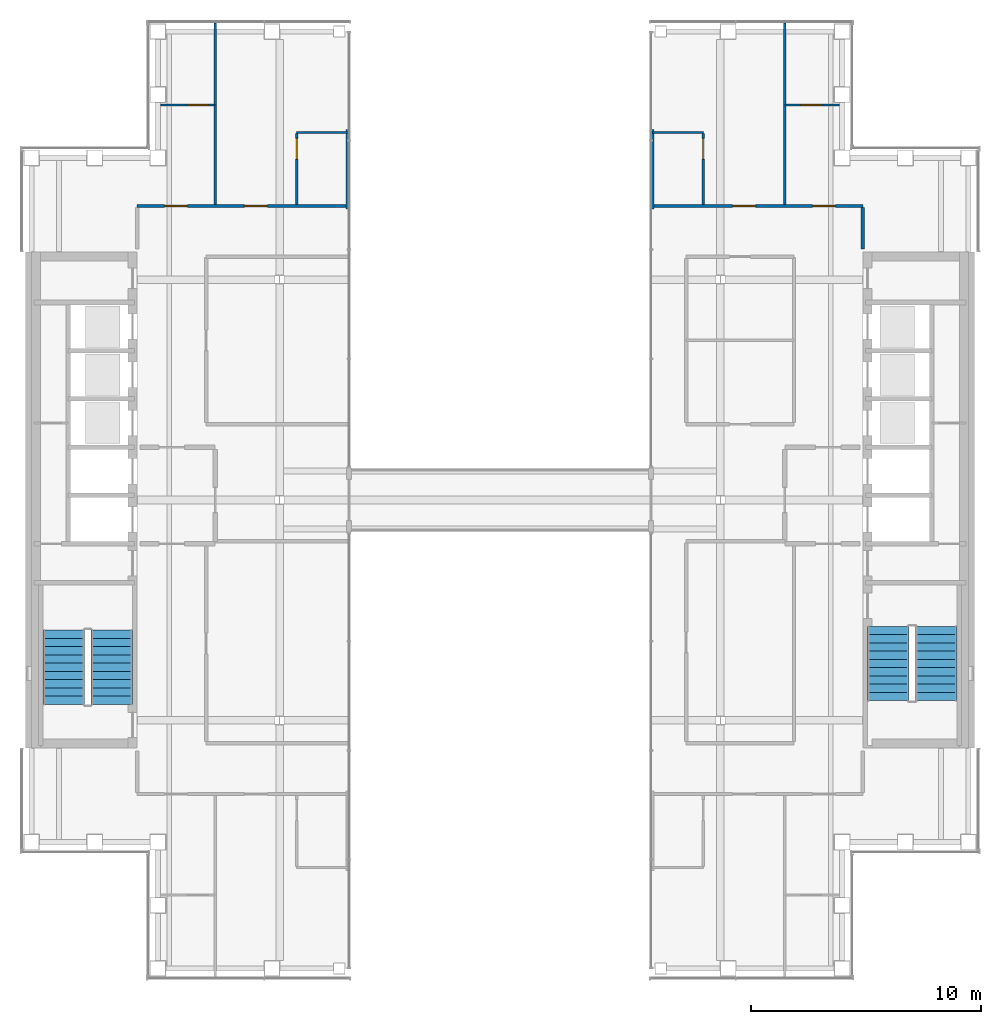
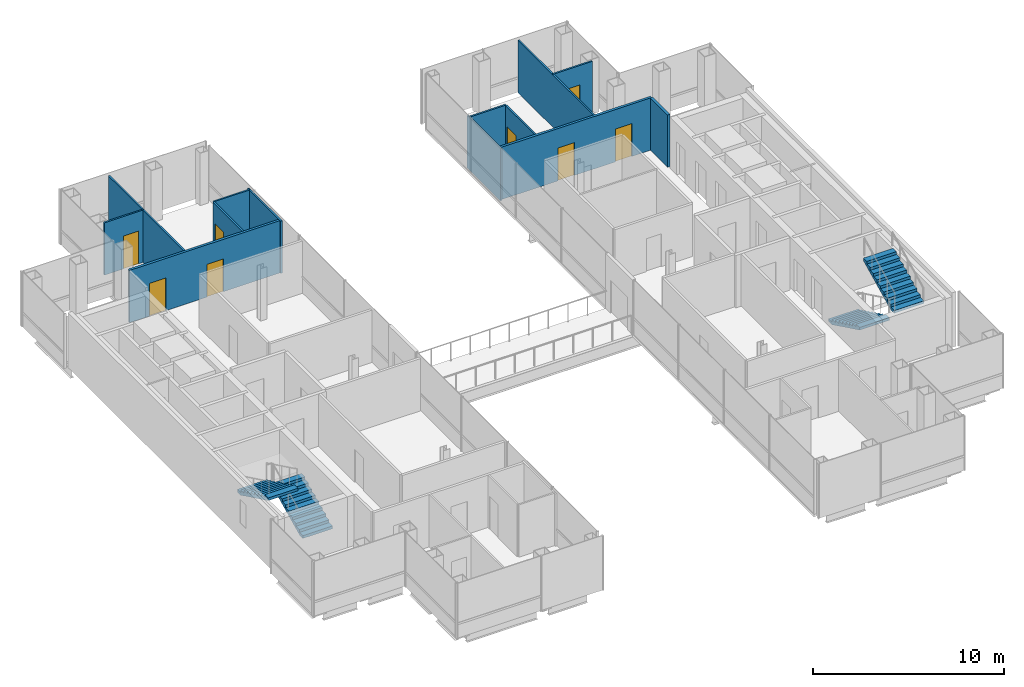
# One storey, part 13 of 15: 13 walls, 8 doors, 4 stair flights, 8 openings, 2 elements without a shape of their own.
"""IFC4 building model written with IfcOpenShell, lengths in metres."""

import ifcopenshell
import ifcopenshell.guid

model = None  # the IFC model being written
_history = None  # IfcOwnerHistory: only IFC2X3 demands one
_inside = {}  # id of a spatial element -> (the spatial element, [elements in it])
_under = {}  # id of a project, library or spatial element -> (it, [spatial elements below it])
_declared = {}  # id of a project -> (the project, [libraries it declares])
_typed = {}  # id of a type object -> (the type object, [elements of that type])
_made_of = {}  # id of a material, layer set ... -> (it, [elements and type objects made of it])


def new_model(schema):
    """Start an empty IFC model of exactly this schema.

    Asked for "IFC4X3", IfcOpenShell would pick the latest addendum, in which some entities
    have other attributes; the version numbers below select the first issue.
    IFC2X3 requires an IfcOwnerHistory on every rooted entity: one is made here for all.
    """
    global model, _history
    if schema == "IFC4X3":
        model = ifcopenshell.file(schema_version=(4, 3, 0, 0))
    else:
        model = ifcopenshell.file(schema=schema)
    _inside.clear()
    _under.clear()
    _declared.clear()
    _typed.clear()
    _made_of.clear()
    _history = None
    if model.schema == "IFC2X3":
        org = make("IfcOrganization", Name="unknown")
        user = make(
            "IfcPersonAndOrganization",
            ThePerson=make("IfcPerson", FamilyName="unknown"),
            TheOrganization=org,
        )
        app = make(
            "IfcApplication",
            ApplicationDeveloper=org,
            Version="unknown",
            ApplicationFullName="unknown",
            ApplicationIdentifier="unknown",
        )
        _history = make(
            "IfcOwnerHistory",
            OwningUser=user,
            OwningApplication=app,
            ChangeAction="ADDED",
            CreationDate=0,
        )
    return model


def make(cls, **values):
    """One entity of the class cls with the attributes given. An attribute that is None is left unset."""
    return model.create_entity(
        cls, **{name: value for name, value in values.items() if value is not None}
    )


def rooted(cls, **values):
    """An entity with a GlobalId (a new one), such as an element, a storey or a relation."""
    return make(cls, GlobalId=ifcopenshell.guid.new(), OwnerHistory=_history, **values)


def si_unit(unit_type, name, prefix=None):
    """IfcSIUnit, for example si_unit("LENGTHUNIT", "METRE", prefix="MILLI")."""
    return make("IfcSIUnit", UnitType=unit_type, Prefix=prefix, Name=name)


def assignment(units):
    """IfcUnitAssignment: the units of a project."""
    return None if units is None else make("IfcUnitAssignment", Units=units)


def point(xyz):
    """IfcCartesianPoint."""
    return None if xyz is None else make("IfcCartesianPoint", Coordinates=xyz)


def direction(xyz):
    """IfcDirection."""
    return None if xyz is None else make("IfcDirection", DirectionRatios=xyz)


def frame(location, z_axis=None, x_axis=None):
    """IfcAxis2Placement3D, a coordinate frame: its origin and axes. An axis left out is left unset."""
    return make(
        "IfcAxis2Placement3D",
        Location=point(location),
        Axis=direction(z_axis),
        RefDirection=direction(x_axis),
    )


def frame_2d(location, x_axis=None):
    """IfcAxis2Placement2D, a coordinate frame in the plane: its origin and x axis."""
    return make(
        "IfcAxis2Placement2D", Location=point(location), RefDirection=direction(x_axis)
    )


def origin():
    """The frame at (0, 0, 0) with its axes left unset."""
    return frame((0.0, 0.0, 0.0))


def place(relative_to, where):
    """IfcLocalPlacement: puts the frame where relative to a parent placement (None: the world)."""
    return make(
        "IfcLocalPlacement", PlacementRelTo=relative_to, RelativePlacement=where
    )


def context(
    kind, dimensions, precision=None, world=None, true_north=None, identifier=None
):
    """IfcGeometricRepresentationContext, for example the 3D "Model" context."""
    return make(
        "IfcGeometricRepresentationContext",
        ContextIdentifier=identifier,
        ContextType=kind,
        CoordinateSpaceDimension=dimensions,
        Precision=precision,
        WorldCoordinateSystem=world,
        TrueNorth=true_north,
    )


def subcontext(parent, identifier, kind, view, scale=None):
    """IfcGeometricRepresentationSubContext, for example "Body" below "Model"."""
    return make(
        "IfcGeometricRepresentationSubContext",
        ContextIdentifier=identifier,
        ContextType=kind,
        ParentContext=parent,
        TargetScale=scale,
        TargetView=view,
    )


def project(units=None, contexts=None):
    """IfcProject with its units and contexts."""
    return rooted(
        "IfcProject",
        Name="project",
        RepresentationContexts=contexts,
        UnitsInContext=assignment(units),
    )


def spatial(cls, under=None, at=None, **own):
    """A site, building, storey or space (cls), placed at a placement, below another one or the project."""
    s = rooted(cls, ObjectPlacement=at, **own)
    if under is not None:
        _under.setdefault(under.id(), (under, []))[1].append(s)
    return s


def polyline(points):
    """IfcPolyline through the points."""
    return make("IfcPolyline", Points=[point(p) for p in points])


def profile(cls, at=None, kind="AREA", **sizes):
    """A parametric profile (cls). Its sizes go by their IFC names, for example OverallWidth=200.0."""
    return make(cls, ProfileType=kind, Position=at, **sizes)


def rectangle(**sizes):
    """IfcRectangleProfileDef."""
    return profile("IfcRectangleProfileDef", **sizes)


def outline(outer, holes=None, kind="AREA"):
    """IfcArbitraryClosedProfileDef: a profile drawn as a closed curve; with holes, ...WithVoids."""
    if holes is None:
        return make("IfcArbitraryClosedProfileDef", ProfileType=kind, OuterCurve=outer)
    return make(
        "IfcArbitraryProfileDefWithVoids",
        ProfileType=kind,
        OuterCurve=outer,
        InnerCurves=holes,
    )


def extrude(swept, where, along, depth):
    """IfcExtrudedAreaSolid: the profile swept, set in the frame where, extruded along a direction by depth."""
    return make(
        "IfcExtrudedAreaSolid",
        SweptArea=swept,
        Position=where,
        ExtrudedDirection=direction(along),
        Depth=depth,
    )


def shape(context_of_items, identifier, shape_type, items):
    """IfcShapeRepresentation: the items that make up one representation, for example the "Body"."""
    return make(
        "IfcShapeRepresentation",
        ContextOfItems=context_of_items,
        RepresentationIdentifier=identifier,
        RepresentationType=shape_type,
        Items=items,
    )


def material(Name=None, Category=None):
    """IfcMaterial."""
    return make("IfcMaterial", Name=Name, Category=Category)


def layer(
    of_material, thickness, ventilated=None, Name=None, Category=None, Priority=None
):
    """IfcMaterialLayer: one layer of a wall or slab, of a material (None: an air gap)."""
    return make(
        "IfcMaterialLayer",
        Material=of_material,
        LayerThickness=thickness,
        IsVentilated=ventilated,
        Name=Name,
        Category=Category,
        Priority=Priority,
    )


def layer_set(layers, Name=None):
    """IfcMaterialLayerSet."""
    return make("IfcMaterialLayerSet", MaterialLayers=layers, LayerSetName=Name)


def made_of(thing, what):
    """Note that an element or type object is made of a material, layer set ...; save() writes the relation."""
    if what is not None:
        _made_of.setdefault(what.id(), (what, []))[1].append(thing)
    return thing


def type_object(cls, material=None, **own):
    """A type object (cls), such as IfcWallType, which elements share."""
    return made_of(rooted(cls, **own), material)


def element(
    cls,
    number,
    at=None,
    inside=None,
    cuts=None,
    type_object=None,
    material=None,
    context=None,
    identifier="Body",
    shape_type=None,
    held_by="IfcProductDefinitionShape",
    body=None,
    shapes=None,
    **own,
):
    """One element of the class cls, such as IfcWall. Its Tag is "e" and its number.

    at: its placement. inside: the storey or other place that contains it. cuts: it is an
    opening in that element (IfcRelVoidsElement). A single representation is given by context,
    identifier, shape_type and body (its items); several are given by shapes. held_by: the class
    of the entity that holds the representations. save() writes the other relations.
    """
    e = rooted(cls, Tag="e%d" % number, ObjectPlacement=at, **own)
    if body is not None:
        shapes = [shape(context, identifier, shape_type, body)]
    if shapes is not None:
        e.Representation = make(held_by, Representations=shapes)
    if inside is not None:
        _inside.setdefault(inside.id(), (inside, []))[1].append(e)
    if cuts is not None:
        rooted(
            "IfcRelVoidsElement", RelatingBuildingElement=cuts, RelatedOpeningElement=e
        )
    if type_object is not None:
        _typed.setdefault(type_object.id(), (type_object, []))[1].append(e)
    return made_of(e, material)


def fill(opening, filler):
    """IfcRelFillsElement: the door or window that sits in an opening."""
    return rooted(
        "IfcRelFillsElement",
        RelatingOpeningElement=opening,
        RelatedBuildingElement=filler,
    )


def aggregate(whole, parts):
    """IfcRelAggregates: a whole, such as a stair, and the parts it consists of."""
    return rooted("IfcRelAggregates", RelatingObject=whole, RelatedObjects=parts)


def save(model, path):
    """Write the relations noted so far, then the file.

    IfcRelAggregates (storeys below a building ...), IfcRelContainedInSpatialStructure (elements
    in a storey), IfcRelDefinesByType, IfcRelAssociatesMaterial and IfcRelDeclares: one each for
    every whole, place, type object, material and project.
    """
    for whole, parts in _under.values():
        aggregate(whole, parts)
    for where, things in _inside.values():
        rooted(
            "IfcRelContainedInSpatialStructure",
            RelatedElements=things,
            RelatingStructure=where,
        )
    for kind, things in _typed.values():
        rooted("IfcRelDefinesByType", RelatedObjects=things, RelatingType=kind)
    for what, things in _made_of.values():
        rooted("IfcRelAssociatesMaterial", RelatedObjects=things, RelatingMaterial=what)
    for by, libraries in _declared.values():
        rooted("IfcRelDeclares", RelatingContext=by, RelatedDefinitions=libraries)
    model.write(path)


model = new_model("IFC4")

# Units and contexts
model_context = context("Model", 3, precision=1e-05, world=origin(), true_north=direction((0.0, 1.0)))
body_context = subcontext(model_context, "Body", "Model", "MODEL_VIEW")
ifc_project = project(units=[si_unit("LENGTHUNIT", "METRE"), si_unit("AREAUNIT", "SQUARE_METRE"), si_unit("VOLUMEUNIT", "CUBIC_METRE"), si_unit("PLANEANGLEUNIT", "RADIAN"), si_unit("MASSUNIT", "GRAM", prefix="KILO")], contexts=[model_context])

# Site, building, storey
site_placement = place(None, origin())
site = spatial("IfcSite", under=ifc_project, at=site_placement, CompositionType="ELEMENT")
building_placement = place(site_placement, origin())
building = spatial("IfcBuilding", under=site, at=building_placement, Name="Cobrizo Arcos Hotel Tower", CompositionType="ELEMENT")
storey_placement = place(building_placement, frame((0.0, 0.0, 222.5)))
storey = spatial("IfcBuildingStorey", under=building, at=storey_placement, Name="L58", CompositionType="ELEMENT", Elevation=222.5)

# Wall, openings, doors
ifc_material_1 = material(Name="Gypsum board partition")
ifc_layer_1 = layer(ifc_material_1, 0.14990234375)
ifc_layer_set_1 = layer_set([ifc_layer_1], Name="Corridor wall EI 60 150")
wall_type_1 = type_object("IfcWallType", Name="Corridor wall EI 60 150", PredefinedType="PARTITIONING", material=ifc_layer_set_1)
wall_1_placement = place(storey_placement, frame((-15.800048828125, 12.800048828125, 0.0), z_axis=(0.0, 0.0, 1.0), x_axis=(1.0, 0.0, 0.0)))
wall_1 = element("IfcWall", 1, at=wall_1_placement, inside=storey, type_object=wall_type_1, Name="Partition 036", PredefinedType="PARTITIONING", context=body_context, shape_type="SweptSolid", body=[
    extrude(rectangle(XDim=9.150146484375, YDim=0.14990234375, at=frame_2d((4.5751953125, 0.0))), origin(), (0.0, 0.0, 1.0), 3.35009765625),
])
opening_1_placement = place(wall_1_placement, frame((4.6669921875, 0.0, 0.0)))
opening_1 = element("IfcOpeningElement", 2, at=opening_1_placement, cuts=wall_1, Name="Opening GD-02", PredefinedType="OPENING", context=body_context, shape_type="SweptSolid", body=[
    extrude(rectangle(XDim=1.0, YDim=2.10009765625, at=frame_2d((0.5, 1.050048828125))), frame((0.0, 0.0869140625, 0.0), z_axis=(0.0, -1.0, 0.0), x_axis=(1.0, 0.0, 0.0)), (0.0, 0.0, 1.0), 0.173828125),
])
opening_2_placement = place(wall_1_placement, frame((1.19189453125, 0.0, 0.0)))
opening_2 = element("IfcOpeningElement", 3, at=opening_2_placement, cuts=wall_1, Name="Opening GD-06", PredefinedType="OPENING", context=body_context, shape_type="SweptSolid", body=[
    extrude(rectangle(XDim=1.0, YDim=2.10009765625, at=frame_2d((0.5, 1.050048828125))), frame((0.0, 0.0869140625, 0.0), z_axis=(0.0, -1.0, 0.0), x_axis=(1.0, 0.0, 0.0)), (0.0, 0.0, 1.0), 0.173828125),
])
ifc_material_2 = material(Name="Timber door leaf", Category="wood")
door_type_1 = type_object("IfcDoorType", Name="Guest room door FD30S 1000x2100", OperationType="SINGLE_SWING_LEFT", PredefinedType="DOOR", material=ifc_material_2)
door_1_placement = place(opening_1_placement, origin())
door_1 = element("IfcDoor", 4, at=door_1_placement, inside=storey, type_object=door_type_1, Name="Door GD-02", OperationType="SINGLE_SWING_LEFT", OverallHeight=2.10009765625, OverallWidth=1.0, PredefinedType="DOOR", context=body_context, shape_type="SweptSolid", body=[
    extrude(rectangle(XDim=1.0, YDim=2.10009765625, at=frame_2d((0.5, 1.050048828125))), frame((0.0, 0.02490234375, 0.0), z_axis=(0.0, -1.0, 0.0), x_axis=(1.0, 0.0, 0.0)), (0.0, 0.0, 1.0), 0.050048828125),
])
fill(opening_1, door_1)
door_2_placement = place(opening_2_placement, origin())
door_2 = element("IfcDoor", 5, at=door_2_placement, inside=storey, type_object=door_type_1, Name="Door GD-06", OperationType="SINGLE_SWING_RIGHT", OverallHeight=2.10009765625, OverallWidth=1.0, PredefinedType="DOOR", context=body_context, shape_type="SweptSolid", body=[
    extrude(rectangle(XDim=1.0, YDim=2.10009765625, at=frame_2d((0.5, 1.050048828125))), frame((0.0, 0.02490234375, 0.0), z_axis=(0.0, -1.0, 0.0), x_axis=(1.0, 0.0, 0.0)), (0.0, 0.0, 1.0), 0.050048828125),
])
fill(opening_2, door_2)

wall_2_placement = place(storey_placement, frame((6.64990234375, 12.800048828125, 0.0), z_axis=(0.0, 0.0, 1.0), x_axis=(1.0, 0.0, 0.0)))
wall_2 = element("IfcWall", 6, at=wall_2_placement, inside=storey, type_object=wall_type_1, Name="Partition 037", PredefinedType="PARTITIONING", context=body_context, shape_type="SweptSolid", body=[
    extrude(rectangle(XDim=9.150146484375, YDim=0.14990234375, at=frame_2d((4.5751953125, 0.0))), origin(), (0.0, 0.0, 1.0), 3.35009765625),
])
opening_3_placement = place(wall_2_placement, frame((3.48291015625, 0.0, 0.0)))
opening_3 = element("IfcOpeningElement", 7, at=opening_3_placement, cuts=wall_2, Name="Opening GD-01", PredefinedType="OPENING", context=body_context, shape_type="SweptSolid", body=[
    extrude(rectangle(XDim=1.0, YDim=2.10009765625, at=frame_2d((0.5, 1.050048828125))), frame((0.0, 0.0869140625, 0.0), z_axis=(0.0, -1.0, 0.0), x_axis=(1.0, 0.0, 0.0)), (0.0, 0.0, 1.0), 0.173828125),
])
opening_4_placement = place(wall_2_placement, frame((6.9580078125, 0.0, 0.0)))
opening_4 = element("IfcOpeningElement", 8, at=opening_4_placement, cuts=wall_2, Name="Opening GD-08", PredefinedType="OPENING", context=body_context, shape_type="SweptSolid", body=[
    extrude(rectangle(XDim=1.0, YDim=2.10009765625, at=frame_2d((0.5, 1.050048828125))), frame((0.0, 0.0869140625, 0.0), z_axis=(0.0, -1.0, 0.0), x_axis=(1.0, 0.0, 0.0)), (0.0, 0.0, 1.0), 0.173828125),
])
door_3_placement = place(opening_3_placement, origin())
door_3 = element("IfcDoor", 9, at=door_3_placement, inside=storey, type_object=door_type_1, Name="Door GD-01", OperationType="SINGLE_SWING_LEFT", OverallHeight=2.10009765625, OverallWidth=1.0, PredefinedType="DOOR", context=body_context, shape_type="SweptSolid", body=[
    extrude(rectangle(XDim=1.0, YDim=2.10009765625, at=frame_2d((0.5, 1.050048828125))), frame((0.0, 0.02490234375, 0.0), z_axis=(0.0, -1.0, 0.0), x_axis=(1.0, 0.0, 0.0)), (0.0, 0.0, 1.0), 0.050048828125),
])
fill(opening_3, door_3)
door_4_placement = place(opening_4_placement, origin())
door_4 = element("IfcDoor", 10, at=door_4_placement, inside=storey, type_object=door_type_1, Name="Door GD-08", OperationType="SINGLE_SWING_LEFT", OverallHeight=2.10009765625, OverallWidth=1.0, PredefinedType="DOOR", context=body_context, shape_type="SweptSolid", body=[
    extrude(rectangle(XDim=1.0, YDim=2.10009765625, at=frame_2d((0.5, 1.050048828125))), frame((0.0, 0.02490234375, 0.0), z_axis=(0.0, -1.0, 0.0), x_axis=(1.0, 0.0, 0.0)), (0.0, 0.0, 1.0), 0.050048828125),
])
fill(opening_4, door_4)

# Walls
wall_3_placement = place(storey_placement, frame((15.800048828125, 10.919921875, 0.0), z_axis=(0.0, 0.0, 1.0), x_axis=(0.0, 1.0, 0.0)))
element("IfcWall", 11, at=wall_3_placement, inside=storey, type_object=wall_type_1, Name="Partition 067", PredefinedType="PARTITIONING", context=body_context, shape_type="SweptSolid", body=[
    extrude(rectangle(XDim=1.80517578125, YDim=0.14990234375, at=frame_2d((0.902587890625, 0.0))), origin(), (0.0, 0.0, 1.0), 3.35009765625),
])
ifc_layer_2 = layer(ifc_material_1, 0.10009765625)
ifc_layer_set_2 = layer_set([ifc_layer_2], Name="Partition EI 30 100")
wall_type_2 = type_object("IfcWallType", Name="Partition EI 30 100", PredefinedType="PARTITIONING", material=ifc_layer_set_2)
for number, where, z_axis, x_axis, name in (
    (12, (-8.85009765625, 16.0, 0.0), (0.0, 0.0, 1.0), (1.0, 0.0, 0.0), "Partition 038"),
    (13, (6.64990234375, 16.0, 0.0), (0.0, 0.0, 1.0), (1.0, 0.0, 0.0), "Partition 039"),
):
    element("IfcWall", number, at=place(storey_placement, frame(where, z_axis=z_axis, x_axis=x_axis)), inside=storey, type_object=wall_type_2, Name=name, PredefinedType="PARTITIONING", context=body_context, shape_type="SweptSolid", body=[
        extrude(rectangle(XDim=2.2001953125, YDim=0.10009765625, at=frame_2d((1.10009765625, 0.0))), origin(), (0.0, 0.0, 1.0), 3.35009765625),
    ])

# Wall, opening, door
wall_4_placement = place(storey_placement, frame((-14.780029296875, 17.199951171875, 0.0), z_axis=(0.0, 0.0, 1.0), x_axis=(1.0, 0.0, 0.0)))
wall_4 = element("IfcWall", 14, at=wall_4_placement, inside=storey, type_object=wall_type_2, Name="Partition 040", PredefinedType="PARTITIONING", context=body_context, shape_type="SweptSolid", body=[
    extrude(rectangle(XDim=2.380126953125, YDim=0.10009765625, at=frame_2d((1.18994140625, 0.0))), origin(), (0.0, 0.0, 1.0), 3.35009765625),
])
opening_5_placement = place(wall_4_placement, frame((1.16796875, 0.0, 0.0)))
opening_5 = element("IfcOpeningElement", 15, at=opening_5_placement, cuts=wall_4, Name="Opening ED-06", PredefinedType="OPENING", context=body_context, shape_type="SweptSolid", body=[
    extrude(rectangle(XDim=0.89990234375, YDim=2.10009765625, at=frame_2d((0.449951171875, 1.050048828125))), frame((0.0, 0.06201171875, 0.0), z_axis=(0.0, -1.0, 0.0), x_axis=(1.0, 0.0, 0.0)), (0.0, 0.0, 1.0), 0.1240234375),
])
door_type_2 = type_object("IfcDoorType", Name="En-suite door 900x2100", OperationType="SINGLE_SWING_LEFT", PredefinedType="DOOR", material=ifc_material_2)
door_5_placement = place(opening_5_placement, origin())
door_5 = element("IfcDoor", 16, at=door_5_placement, inside=storey, type_object=door_type_2, Name="Door ED-06", OperationType="SINGLE_SWING_LEFT", OverallHeight=2.10009765625, OverallWidth=0.89990234375, PredefinedType="DOOR", context=body_context, shape_type="SweptSolid", body=[
    extrude(rectangle(XDim=0.89990234375, YDim=2.10009765625, at=frame_2d((0.449951171875, 1.050048828125))), frame((0.0, 0.02490234375, 0.0), z_axis=(0.0, -1.0, 0.0), x_axis=(1.0, 0.0, 0.0)), (0.0, 0.0, 1.0), 0.050048828125),
])
fill(opening_5, door_5)

wall_5_placement = place(storey_placement, frame((12.39990234375, 17.199951171875, 0.0), z_axis=(0.0, 0.0, 1.0), x_axis=(1.0, 0.0, 0.0)))
wall_5 = element("IfcWall", 17, at=wall_5_placement, inside=storey, type_object=wall_type_2, Name="Partition 041", PredefinedType="PARTITIONING", context=body_context, shape_type="SweptSolid", body=[
    extrude(rectangle(XDim=2.380126953125, YDim=0.10009765625, at=frame_2d((1.18994140625, 0.0))), origin(), (0.0, 0.0, 1.0), 3.35009765625),
])
opening_6_placement = place(wall_5_placement, frame((0.705078125, 0.0, 0.0)))
opening_6 = element("IfcOpeningElement", 18, at=opening_6_placement, cuts=wall_5, Name="Opening ED-08", PredefinedType="OPENING", context=body_context, shape_type="SweptSolid", body=[
    extrude(rectangle(XDim=0.89990234375, YDim=2.10009765625, at=frame_2d((0.449951171875, 1.050048828125))), frame((0.0, 0.06201171875, 0.0), z_axis=(0.0, -1.0, 0.0), x_axis=(1.0, 0.0, 0.0)), (0.0, 0.0, 1.0), 0.1240234375),
])
door_6_placement = place(opening_6_placement, origin())
door_6 = element("IfcDoor", 19, at=door_6_placement, inside=storey, type_object=door_type_2, Name="Door ED-08", OperationType="SINGLE_SWING_RIGHT", OverallHeight=2.10009765625, OverallWidth=0.89990234375, PredefinedType="DOOR", context=body_context, shape_type="SweptSolid", body=[
    extrude(rectangle(XDim=0.89990234375, YDim=2.10009765625, at=frame_2d((0.449951171875, 1.050048828125))), frame((0.0, 0.02490234375, 0.0), z_axis=(0.0, -1.0, 0.0), x_axis=(1.0, 0.0, 0.0)), (0.0, 0.0, 1.0), 0.050048828125),
])
fill(opening_6, door_6)

# Wall
wall_6_placement = place(storey_placement, frame((-12.39990234375, 12.875, 0.0), z_axis=(0.0, 0.0, 1.0), x_axis=(0.0, 1.0, 0.0)))
element("IfcWall", 20, at=wall_6_placement, inside=storey, type_object=wall_type_2, Name="Partition 050", PredefinedType="PARTITIONING", context=body_context, shape_type="SweptSolid", body=[
    extrude(rectangle(XDim=7.905029296875, YDim=0.10009765625, at=frame_2d((3.95263671875, 0.0))), origin(), (0.0, 0.0, 1.0), 3.35009765625),
])

# Wall, opening, door
wall_7_placement = place(storey_placement, frame((-8.85009765625, 12.875, 0.0), z_axis=(0.0, 0.0, 1.0), x_axis=(0.0, 1.0, 0.0)))
wall_7 = element("IfcWall", 21, at=wall_7_placement, inside=storey, type_object=wall_type_2, Name="Partition 052", PredefinedType="PARTITIONING", context=body_context, shape_type="SweptSolid", body=[
    extrude(rectangle(XDim=3.074951171875, YDim=0.10009765625, at=frame_2d((1.53759765625, 0.0))), origin(), (0.0, 0.0, 1.0), 3.35009765625),
])
opening_7_placement = place(wall_7_placement, frame((1.970947265625, 0.0, 0.0)))
opening_7 = element("IfcOpeningElement", 22, at=opening_7_placement, cuts=wall_7, Name="Opening ED-02", PredefinedType="OPENING", context=body_context, shape_type="SweptSolid", body=[
    extrude(rectangle(XDim=0.89990234375, YDim=2.10009765625, at=frame_2d((0.449951171875, 1.050048828125))), frame((0.0, 0.06201171875, 0.0), z_axis=(0.0, -1.0, 0.0), x_axis=(1.0, 0.0, 0.0)), (0.0, 0.0, 1.0), 0.1240234375),
])
door_7_placement = place(opening_7_placement, origin())
door_7 = element("IfcDoor", 23, at=door_7_placement, inside=storey, type_object=door_type_2, Name="Door ED-02", OperationType="SINGLE_SWING_LEFT", OverallHeight=2.10009765625, OverallWidth=0.89990234375, PredefinedType="DOOR", context=body_context, shape_type="SweptSolid", body=[
    extrude(rectangle(XDim=0.89990234375, YDim=2.10009765625, at=frame_2d((0.449951171875, 1.050048828125))), frame((0.0, 0.02490234375, 0.0), z_axis=(0.0, -1.0, 0.0), x_axis=(1.0, 0.0, 0.0)), (0.0, 0.0, 1.0), 0.050048828125),
])
fill(opening_7, door_7)

# Walls
for number, where, z_axis, x_axis, name in (
    (24, (-6.64990234375, 12.659912109375, 0.0), (0.0, 0.0, 1.0), (0.0, 1.0, 0.0), "Partition 054"),
    (25, (6.64990234375, 12.659912109375, 0.0), (0.0, 0.0, 1.0), (0.0, 1.0, 0.0), "Partition 056"),
):
    element("IfcWall", number, at=place(storey_placement, frame(where, z_axis=z_axis, x_axis=x_axis)), inside=storey, type_object=wall_type_2, Name=name, PredefinedType="PARTITIONING", context=body_context, shape_type="SweptSolid", body=[
        extrude(rectangle(XDim=3.47998046875, YDim=0.10009765625, at=frame_2d((1.739990234375, 0.0))), origin(), (0.0, 0.0, 1.0), 3.35009765625),
    ])

# Wall, opening, door
wall_8_placement = place(storey_placement, frame((8.85009765625, 12.875, 0.0), z_axis=(0.0, 0.0, 1.0), x_axis=(0.0, 1.0, 0.0)))
wall_8 = element("IfcWall", 26, at=wall_8_placement, inside=storey, type_object=wall_type_2, Name="Partition 060", PredefinedType="PARTITIONING", context=body_context, shape_type="SweptSolid", body=[
    extrude(rectangle(XDim=3.074951171875, YDim=0.10009765625, at=frame_2d((1.53759765625, 0.0))), origin(), (0.0, 0.0, 1.0), 3.35009765625),
])
opening_8_placement = place(wall_8_placement, frame((1.970947265625, 0.0, 0.0)))
opening_8 = element("IfcOpeningElement", 27, at=opening_8_placement, cuts=wall_8, Name="Opening ED-01", PredefinedType="OPENING", context=body_context, shape_type="SweptSolid", body=[
    extrude(rectangle(XDim=0.89990234375, YDim=2.10009765625, at=frame_2d((0.449951171875, 1.050048828125))), frame((0.0, 0.06201171875, 0.0), z_axis=(0.0, -1.0, 0.0), x_axis=(1.0, 0.0, 0.0)), (0.0, 0.0, 1.0), 0.1240234375),
])
door_8_placement = place(opening_8_placement, origin())
door_8 = element("IfcDoor", 28, at=door_8_placement, inside=storey, type_object=door_type_2, Name="Door ED-01", OperationType="SINGLE_SWING_RIGHT", OverallHeight=2.10009765625, OverallWidth=0.89990234375, PredefinedType="DOOR", context=body_context, shape_type="SweptSolid", body=[
    extrude(rectangle(XDim=0.89990234375, YDim=2.10009765625, at=frame_2d((0.449951171875, 1.050048828125))), frame((0.0, 0.02490234375, 0.0), z_axis=(0.0, -1.0, 0.0), x_axis=(1.0, 0.0, 0.0)), (0.0, 0.0, 1.0), 0.050048828125),
])
fill(opening_8, door_8)

# Wall
wall_9_placement = place(storey_placement, frame((12.39990234375, 12.875, 0.0), z_axis=(0.0, 0.0, 1.0), x_axis=(0.0, 1.0, 0.0)))
element("IfcWall", 29, at=wall_9_placement, inside=storey, type_object=wall_type_2, Name="Partition 063", PredefinedType="PARTITIONING", context=body_context, shape_type="SweptSolid", body=[
    extrude(rectangle(XDim=7.905029296875, YDim=0.10009765625, at=frame_2d((3.95263671875, 0.0))), origin(), (0.0, 0.0, 1.0), 3.35009765625),
])

# Stair, stair flights
ifc_material_3 = material(Name="Concrete f'c 40 MPa", Category="concrete")
stair_type = type_object("IfcStairType", Name="Exit stair", PredefinedType="HALF_TURN_STAIR", material=ifc_material_3)
stair_1_placement = place(storey_placement, origin())
stair_1 = element("IfcStair", 30, at=stair_1_placement, inside=storey, type_object=stair_type, Name="L58 Exit stair ST-W", PredefinedType="HALF_TURN_STAIR")
stair_flight_type = type_object("IfcStairFlightType", Name="Exit stair flight", PredefinedType="STRAIGHT", material=ifc_material_3)
stair_flight_1_placement = place(storey_placement, frame((-16.89990234375, -8.89990234375, 0.0), z_axis=(0.0, 0.0, 1.0), x_axis=(0.0, 1.0, 0.0)))
stair_flight_1 = element("IfcStairFlight", 31, at=stair_flight_1_placement, type_object=stair_flight_type, Name="ST-W flight 1", NumberOfRisers=10, NumberOfTreads=9, PredefinedType="STRAIGHT", RiserHeight=0.175, TreadLength=0.36, context=body_context, shape_type="SweptSolid", body=[
    extrude(outline(polyline([(0.0, 0.0), (0.0, 0.175048828125), (0.360107421875, 0.175048828125), (0.360107421875, 0.35009765625), (0.719970703125, 0.35009765625), (0.719970703125, 0.52490234375), (1.080078125, 0.52490234375), (1.080078125, 0.699951171875), (1.43994140625, 0.699951171875), (1.43994140625, 0.875), (1.800048828125, 0.875), (1.800048828125, 1.050048828125), (2.159912109375, 1.050048828125), (2.159912109375, 1.22509765625), (2.52001953125, 1.22509765625), (2.52001953125, 1.39990234375), (2.8798828125, 1.39990234375), (2.8798828125, 1.574951171875), (3.239990234375, 1.574951171875), (3.239990234375, 1.75), (3.239990234375, 1.408203125), (0.3427734375, 0.0), (0.0, 0.0)])), frame((0.0, 0.89990234375, 0.0), z_axis=(0.0, -1.0, 0.0), x_axis=(1.0, 0.0, 0.0)), (0.0, 0.0, 1.0), 1.800048828125),
])
stair_flight_2_placement = place(storey_placement, frame((-19.0, -5.659912109375, 1.75), z_axis=(0.0, 0.0, 1.0), x_axis=(0.0, -1.0, 0.0)))
stair_flight_2 = element("IfcStairFlight", 32, at=stair_flight_2_placement, type_object=stair_flight_type, Name="ST-W flight 2", NumberOfRisers=10, NumberOfTreads=9, PredefinedType="STRAIGHT", RiserHeight=0.175, TreadLength=0.36, context=body_context, shape_type="SweptSolid", body=[
    extrude(outline(polyline([(0.0, 0.0), (0.0, 0.175048828125), (0.360107421875, 0.175048828125), (0.360107421875, 0.35009765625), (0.719970703125, 0.35009765625), (0.719970703125, 0.52490234375), (1.080078125, 0.52490234375), (1.080078125, 0.699951171875), (1.43994140625, 0.699951171875), (1.43994140625, 0.875), (1.800048828125, 0.875), (1.800048828125, 1.050048828125), (2.159912109375, 1.050048828125), (2.159912109375, 1.22509765625), (2.52001953125, 1.22509765625), (2.52001953125, 1.39990234375), (2.8798828125, 1.39990234375), (2.8798828125, 1.574951171875), (3.239990234375, 1.574951171875), (3.239990234375, 1.75), (3.239990234375, 1.408203125), (0.3427734375, 0.0), (0.0, 0.0)])), frame((0.0, 0.89990234375, 0.0), z_axis=(0.0, -1.0, 0.0), x_axis=(1.0, 0.0, 0.0)), (0.0, 0.0, 1.0), 1.800048828125),
])
aggregate(stair_1, [stair_flight_1, stair_flight_2])

stair_2_placement = place(storey_placement, origin())
stair_2 = element("IfcStair", 33, at=stair_2_placement, inside=storey, type_object=stair_type, Name="L58 Exit stair ST-E", PredefinedType="HALF_TURN_STAIR")
stair_flight_3_placement = place(storey_placement, frame((16.89990234375, -5.5, 0.0), z_axis=(0.0, 0.0, 1.0), x_axis=(0.0, -1.0, 0.0)))
stair_flight_3 = element("IfcStairFlight", 34, at=stair_flight_3_placement, type_object=stair_flight_type, Name="ST-E flight 1", NumberOfRisers=10, NumberOfTreads=9, PredefinedType="STRAIGHT", RiserHeight=0.175, TreadLength=0.36, context=body_context, shape_type="SweptSolid", body=[
    extrude(outline(polyline([(0.0, 0.0), (0.0, 0.175048828125), (0.360107421875, 0.175048828125), (0.360107421875, 0.35009765625), (0.719970703125, 0.35009765625), (0.719970703125, 0.52490234375), (1.080078125, 0.52490234375), (1.080078125, 0.699951171875), (1.43994140625, 0.699951171875), (1.43994140625, 0.875), (1.800048828125, 0.875), (1.800048828125, 1.050048828125), (2.159912109375, 1.050048828125), (2.159912109375, 1.22509765625), (2.52001953125, 1.22509765625), (2.52001953125, 1.39990234375), (2.8798828125, 1.39990234375), (2.8798828125, 1.574951171875), (3.239990234375, 1.574951171875), (3.239990234375, 1.75), (3.239990234375, 1.408203125), (0.3427734375, 0.0), (0.0, 0.0)])), frame((0.0, 0.89990234375, 0.0), z_axis=(0.0, -1.0, 0.0), x_axis=(1.0, 0.0, 0.0)), (0.0, 0.0, 1.0), 1.800048828125),
])
stair_flight_4_placement = place(storey_placement, frame((19.0, -8.739990234375, 1.75), z_axis=(0.0, 0.0, 1.0), x_axis=(0.0, 1.0, 0.0)))
stair_flight_4 = element("IfcStairFlight", 35, at=stair_flight_4_placement, type_object=stair_flight_type, Name="ST-E flight 2", NumberOfRisers=10, NumberOfTreads=9, PredefinedType="STRAIGHT", RiserHeight=0.175, TreadLength=0.36, context=body_context, shape_type="SweptSolid", body=[
    extrude(outline(polyline([(0.0, 0.0), (0.0, 0.175048828125), (0.360107421875, 0.175048828125), (0.360107421875, 0.35009765625), (0.719970703125, 0.35009765625), (0.719970703125, 0.52490234375), (1.080078125, 0.52490234375), (1.080078125, 0.699951171875), (1.43994140625, 0.699951171875), (1.43994140625, 0.875), (1.800048828125, 0.875), (1.800048828125, 1.050048828125), (2.159912109375, 1.050048828125), (2.159912109375, 1.22509765625), (2.52001953125, 1.22509765625), (2.52001953125, 1.39990234375), (2.8798828125, 1.39990234375), (2.8798828125, 1.574951171875), (3.239990234375, 1.574951171875), (3.239990234375, 1.75), (3.239990234375, 1.408203125), (0.3427734375, 0.0), (0.0, 0.0)])), frame((0.0, 0.89990234375, 0.0), z_axis=(0.0, -1.0, 0.0), x_axis=(1.0, 0.0, 0.0)), (0.0, 0.0, 1.0), 1.800048828125),
])
aggregate(stair_2, [stair_flight_3, stair_flight_4])

save(model, "model.ifc")
